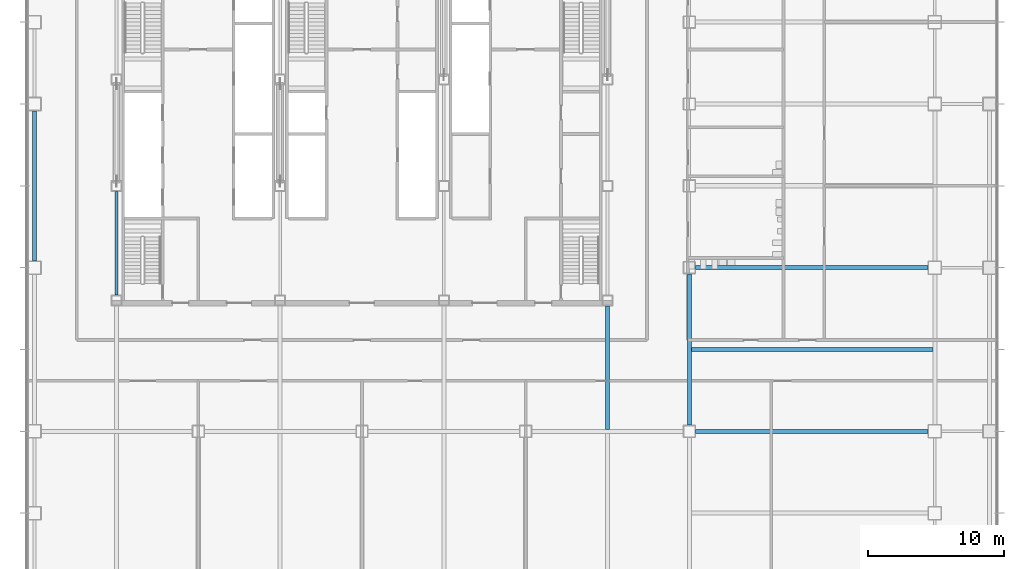
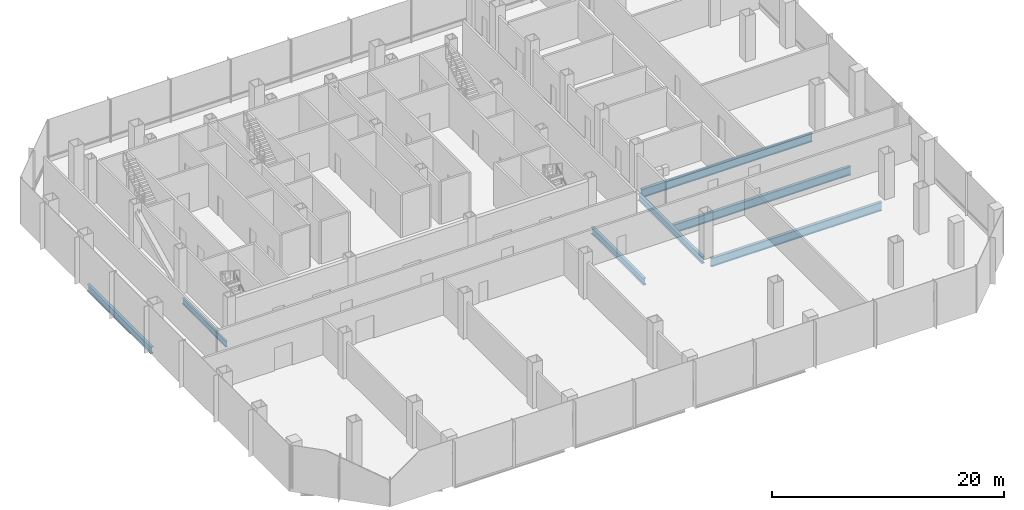
# One storey, part 10 of 34: 7 beams.
"""IFC4 building model written with IfcOpenShell, lengths in metres."""

from ifc_helpers import new_model, si_unit, direction, frame, origin, origin_2d, place, context, subcontext, project, spatial, i_section, extrude, material, material_profile, profile_set, type_object, element, save


model = new_model("IFC4")

# Units and contexts
model_context = context("Model", 3, precision=1e-05, world=origin(), true_north=direction((0.0, 1.0)))
body_context = subcontext(model_context, "Body", "Model", "MODEL_VIEW")
ifc_project = project(units=[si_unit("LENGTHUNIT", "METRE"), si_unit("AREAUNIT", "SQUARE_METRE"), si_unit("VOLUMEUNIT", "CUBIC_METRE"), si_unit("PLANEANGLEUNIT", "RADIAN"), si_unit("MASSUNIT", "GRAM", prefix="KILO")], contexts=[model_context])

# Site, building, storey
site_placement = place(None, origin())
site = spatial("IfcSite", under=ifc_project, at=site_placement, CompositionType="ELEMENT")
building_placement = place(site_placement, origin())
building = spatial("IfcBuilding", under=site, at=building_placement, Name="Sorahane Residences", CompositionType="ELEMENT")
storey_placement = place(building_placement, frame((0.0, 0.0, 39.60009765625)))
storey = spatial("IfcBuildingStorey", under=building, at=storey_placement, Name="L06", CompositionType="ELEMENT", Elevation=39.60009765625)

# Beams
ifc_material_1 = material(Name="Steel Q355B", Category="steel")
ifc_material_profile_1 = material_profile(ifc_material_1, i_section(OverallWidth=0.199951171875, OverallDepth=0.60009765625, WebThickness=0.010986328125, FlangeThickness=0.01708984375, FilletRadius=0.02392578125, at=origin_2d()), Name="HN 600x200x11x17")
ifc_profile_set_1 = profile_set([ifc_material_profile_1], Name="Steel Q355B")
beam_type_1 = type_object("IfcBeamType", Name="Steel floor beam HN 600x200x11x17 Q355B", PredefinedType="BEAM", material=ifc_profile_set_1)
beam_1_placement = place(storey_placement, frame((6.0, 22.0, -0.7001953125), z_axis=(0.0, 1.0, 0.0), x_axis=(-1.0, 0.0, 0.0)))
element("IfcBeam", 1, at=beam_1_placement, inside=storey, type_object=beam_type_1, Name="Beam L06 031", PredefinedType="BEAM", context=body_context, shape_type="SweptSolid", body=[
    extrude(i_section(OverallWidth=0.199951171875, OverallDepth=0.60009765625, WebThickness=0.010986328125, FlangeThickness=0.01708984375, FilletRadius=0.02392578125, at=origin_2d()), origin(), (0.0, 0.0, 1.0), 7.60009765625),
])
ifc_material_2 = material(Name="Steel Q355B", Category="steel")
ifc_material_profile_2 = material_profile(ifc_material_2, i_section(OverallWidth=0.300048828125, OverallDepth=0.699951171875, WebThickness=0.012939453125, FlangeThickness=0.02392578125, FilletRadius=0.028076171875, at=origin_2d()), Name="HN 700x300x13x24")
ifc_profile_set_2 = profile_set([ifc_material_profile_2], Name="Steel Q355B")
beam_type_2 = type_object("IfcBeamType", Name="Steel floor beam HN 700x300x13x24 Q355B", PredefinedType="BEAM", material=ifc_profile_set_2)
beam_2_placement = place(storey_placement, frame((0.0, 24.5, -0.75), z_axis=(0.0, 1.0, 0.0), x_axis=(-1.0, 0.0, 0.0)))
element("IfcBeam", 2, at=beam_2_placement, inside=storey, type_object=beam_type_2, Name="Beam L06 027", PredefinedType="BEAM", context=body_context, shape_type="SweptSolid", body=[
    extrude(i_section(OverallWidth=0.300048828125, OverallDepth=0.699951171875, WebThickness=0.012939453125, FlangeThickness=0.02392578125, FilletRadius=0.028076171875, at=origin_2d()), origin(), (0.0, 0.0, 1.0), 11.0),
])
beam_3_placement = place(storey_placement, frame((42.0, 12.14990234375, -0.75), z_axis=(0.0, 1.0, 0.0), x_axis=(-1.0, 0.0, 0.0)))
element("IfcBeam", 3, at=beam_3_placement, inside=storey, type_object=beam_type_2, Name="Beam L06 057", PredefinedType="BEAM", context=body_context, shape_type="SweptSolid", body=[
    extrude(i_section(OverallWidth=0.300048828125, OverallDepth=0.699951171875, WebThickness=0.012939453125, FlangeThickness=0.02392578125, FilletRadius=0.028076171875, at=origin_2d()), origin(), (0.0, 0.0, 1.0), 9.050048828125),
])
beam_4_placement = place(storey_placement, frame((48.0, 12.449951171875, -0.75), z_axis=(0.0, 1.0, 0.0), x_axis=(-1.0, 0.0, 0.0)))
element("IfcBeam", 4, at=beam_4_placement, inside=storey, type_object=beam_type_2, Name="Beam L06 064", PredefinedType="BEAM", context=body_context, shape_type="SweptSolid", body=[
    extrude(i_section(OverallWidth=0.300048828125, OverallDepth=0.699951171875, WebThickness=0.012939453125, FlangeThickness=0.02392578125, FilletRadius=0.028076171875, at=origin_2d()), origin(), (0.0, 0.0, 1.0), 11.10009765625),
])
ifc_material_3 = material(Name="Steel Q355B", Category="steel")
ifc_material_profile_3 = material_profile(ifc_material_3, i_section(OverallWidth=0.300048828125, OverallDepth=0.89990234375, WebThickness=0.01611328125, FlangeThickness=0.028076171875, FilletRadius=0.028076171875, at=origin_2d()), Name="HN 900x300x16x28")
ifc_profile_set_3 = profile_set([ifc_material_profile_3], Name="Steel Q355B")
beam_type_3 = type_object("IfcBeamType", Name="Steel floor beam HN 900x300x16x28 Q355B", PredefinedType="BEAM", material=ifc_profile_set_3)
for number, where, z_axis, x_axis, name in (
    (5, (48.449951171875, 12.0, -0.85009765625), (1.0, 0.0, 0.0), (0.0, 1.0, 0.0), "Beam L06 012"),
    (6, (48.449951171875, 24.0, -0.85009765625), (1.0, 0.0, 0.0), (0.0, 1.0, 0.0), "Beam L06 014"),
):
    element("IfcBeam", number, at=place(storey_placement, frame(where, z_axis=z_axis, x_axis=x_axis)), inside=storey, type_object=beam_type_3, Name=name, PredefinedType="BEAM", context=body_context, shape_type="SweptSolid", body=[
        extrude(i_section(OverallWidth=0.300048828125, OverallDepth=0.89990234375, WebThickness=0.01611328125, FlangeThickness=0.028076171875, FilletRadius=0.028076171875, at=origin_2d()), origin(), (0.0, 0.0, 1.0), 17.050048828125),
    ])
beam_5_placement = place(storey_placement, frame((48.150146484375, 18.0, -0.85009765625), z_axis=(1.0, 0.0, 0.0), x_axis=(0.0, 1.0, 0.0)))
element("IfcBeam", 7, at=beam_5_placement, inside=storey, type_object=beam_type_3, Name="Beam L06 084", PredefinedType="BEAM", context=body_context, shape_type="SweptSolid", body=[
    extrude(i_section(OverallWidth=0.300048828125, OverallDepth=0.89990234375, WebThickness=0.01611328125, FlangeThickness=0.028076171875, FilletRadius=0.028076171875, at=origin_2d()), origin(), (0.0, 0.0, 1.0), 17.69970703125),
])

save(model, "model.ifc")
